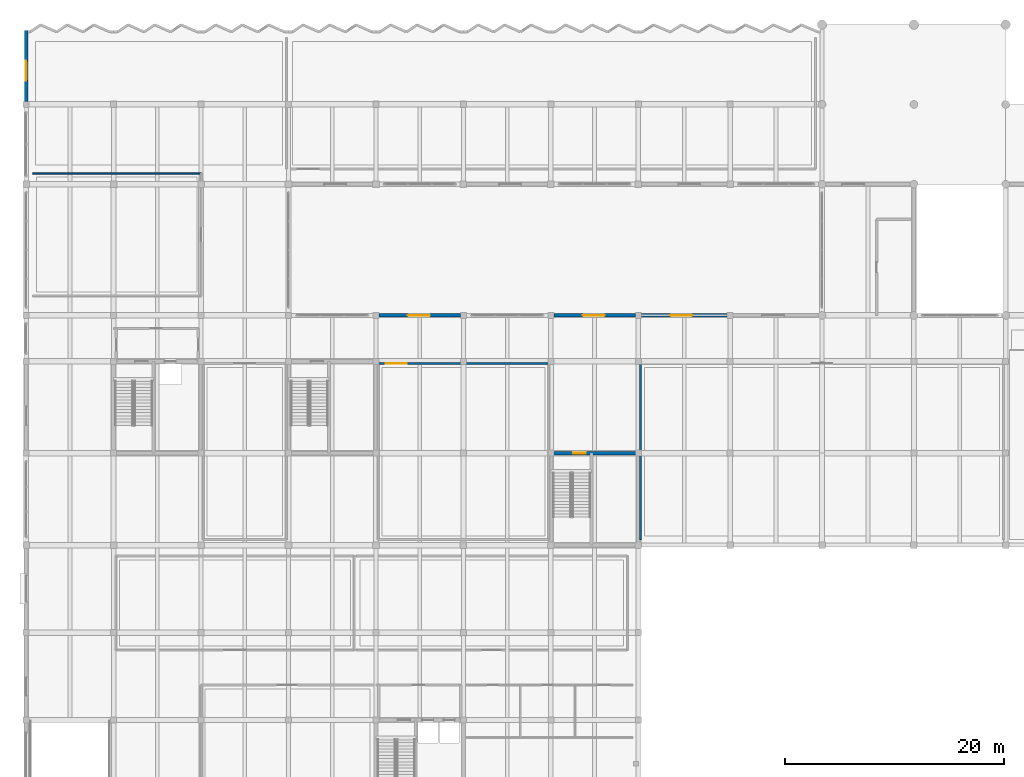
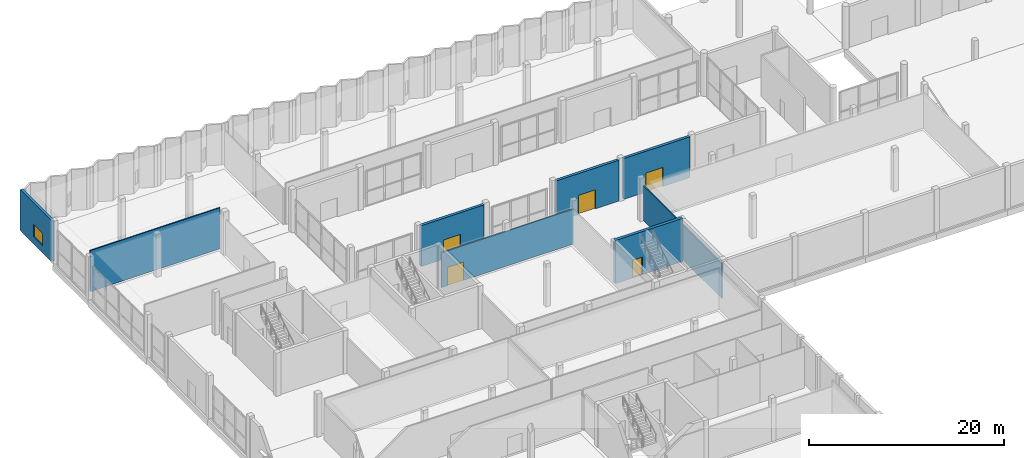
# One storey, part 26 of 41: 8 walls, 5 doors, 1 window, 6 openings.
"""IFC4 building model written with IfcOpenShell, lengths in metres."""

from ifc_helpers import new_model, si_unit, direction, frame, frame_2d, origin, place, context, subcontext, project, spatial, rectangle, extrude, material, layer, layer_set, type_object, element, fill, save


model = new_model("IFC4")

# Units and contexts
model_context = context("Model", 3, precision=1e-05, world=origin(), true_north=direction((0.0, 1.0)))
body_context = subcontext(model_context, "Body", "Model", "MODEL_VIEW")
ifc_project = project(units=[si_unit("LENGTHUNIT", "METRE"), si_unit("AREAUNIT", "SQUARE_METRE"), si_unit("VOLUMEUNIT", "CUBIC_METRE"), si_unit("PLANEANGLEUNIT", "RADIAN"), si_unit("MASSUNIT", "GRAM", prefix="KILO")], contexts=[model_context])

# Site, building, storey
site_placement = place(None, origin())
site = spatial("IfcSite", under=ifc_project, at=site_placement, CompositionType="ELEMENT")
building_placement = place(site_placement, origin())
building = spatial("IfcBuilding", under=site, at=building_placement, Name="Vharandega Faculty of Natural Sciences", CompositionType="ELEMENT")
storey_placement = place(building_placement, origin())
storey = spatial("IfcBuildingStorey", under=building, at=storey_placement, Name="L00", CompositionType="ELEMENT", Elevation=0.0)

# Wall, opening, door
ifc_material_1 = material(Name="Concrete C40/50", Category="concrete")
ifc_layer_1 = layer(ifc_material_1, 0.35009765625, Name="Concrete C40/50")
ifc_layer_set_1 = layer_set([ifc_layer_1], Name="Concrete C40/50")
wall_type_1 = type_object("IfcWallType", Name="Core Shear Wall 350", PredefinedType="SHEAR", material=ifc_layer_set_1)
wall_1_placement = place(storey_placement, frame((48.0, 72.39990234375, 0.0), z_axis=(0.0, 0.0, 1.0), x_axis=(1.0, 0.0, 0.0)))
wall_1 = element("IfcWall", 1, at=wall_1_placement, inside=storey, type_object=wall_type_1, Name="Interior Wall CW-C5-L00-N", PredefinedType="SHEAR", context=body_context, shape_type="SweptSolid", body=[
    extrude(rectangle(XDim=8.0, YDim=0.35009765625, at=frame_2d((4.0, 0.0))), origin(), (0.0, 0.0, 1.0), 5.39990234375),
])
opening_1_placement = place(wall_1_placement, frame((2.0400390625, 0.0, 0.0)))
opening_1 = element("IfcOpeningElement", 2, at=opening_1_placement, cuts=wall_1, Name="Opening FD1", PredefinedType="OPENING", context=body_context, shape_type="SweptSolid", body=[
    extrude(rectangle(XDim=1.14990234375, YDim=2.199951171875, at=frame_2d((0.574951171875, 1.10009765625))), frame((0.0, 0.18505859375, 0.0), z_axis=(0.0, -1.0, 0.0), x_axis=(1.0, 0.0, 0.0)), (0.0, 0.0, 1.0), 0.3701171875),
])
ifc_material_2 = material(Name="Solid-core hardwood timber fire door", Category="wood")
door_type_1 = type_object("IfcDoorType", Name="FD1-STAIR-1150x2200", OperationType="NOTDEFINED", PredefinedType="DOOR", material=ifc_material_2)
door_1_placement = place(opening_1_placement, origin())
door_1 = element("IfcDoor", 3, at=door_1_placement, inside=storey, type_object=door_type_1, Name="Stair ST5 Fire Door FD1", OperationType="SINGLE_SWING_LEFT", OverallHeight=2.199951171875, OverallWidth=1.14990234375, PredefinedType="DOOR", context=body_context, shape_type="SweptSolid", body=[
    extrude(rectangle(XDim=1.14990234375, YDim=2.199951171875, at=frame_2d((0.574951171875, 1.10009765625))), frame((0.0, 0.02490234375, 0.0), z_axis=(0.0, -1.0, 0.0), x_axis=(1.0, 0.0, 0.0)), (0.0, 0.0, 1.0), 0.050048828125),
])
fill(opening_1, door_1)

# Wall, opening, window
ifc_material_3 = material(Name="Granite ashlar masonry 25 MPa", Category="masonry")
ifc_layer_2 = layer(ifc_material_3, 0.320068359375, Name="Granite ashlar masonry 25 MPa")
ifc_layer_set_2 = layer_set([ifc_layer_2], Name="Granite ashlar masonry 25 MPa")
wall_type_2 = type_object("IfcWallType", Name="Harare Granite Plinth Wall 320", PredefinedType="SOLIDWALL", material=ifc_layer_set_2)
wall_2_placement = place(storey_placement, frame((0.0, 104.572998046875, 0.0), z_axis=(0.0, 0.0, 1.0), x_axis=(0.0, 1.0, 0.0)))
wall_2 = element("IfcWall", 4, at=wall_2_placement, inside=storey, type_object=wall_type_2, Name="Exterior Wall EW-V2W-L00-6", PredefinedType="SOLIDWALL", context=body_context, shape_type="SweptSolid", body=[
    extrude(rectangle(XDim=6.48193359375, YDim=0.320068359375, at=frame_2d((3.240966796875, 0.0))), origin(), (0.0, 0.0, 1.0), 5.1201171875),
])
opening_2_placement = place(wall_2_placement, frame((1.906982421875, 0.0, 0.89990234375)))
opening_2 = element("IfcOpeningElement", 5, at=opening_2_placement, cuts=wall_2, Name="Opening WN-20", PredefinedType="OPENING", context=body_context, shape_type="SweptSolid", body=[
    extrude(rectangle(XDim=1.800048828125, YDim=1.550048828125, at=frame_2d((0.89990234375, 0.77490234375))), frame((0.0, 0.169921875, 0.0), z_axis=(0.0, -1.0, 0.0), x_axis=(1.0, 0.0, 0.0)), (0.0, 0.0, 1.0), 0.340087890625),
])
ifc_material_4 = material(Name="Double-glazed solar-control glass in thermally broken aluminium frame", Category="aluminium")
window_type = type_object("IfcWindowType", Name="WIN-SEM-180x155", PartitioningType="DOUBLE_PANEL_VERTICAL", PredefinedType="WINDOW", material=ifc_material_4)
window_placement = place(opening_2_placement, origin())
window = element("IfcWindow", 6, at=window_placement, inside=storey, type_object=window_type, Name="Window WIN-L00-0158", OverallHeight=1.550048828125, OverallWidth=1.800048828125, PartitioningType="SINGLE_PANEL", PredefinedType="WINDOW", context=body_context, shape_type="SweptSolid", body=[
    extrude(rectangle(XDim=1.800048828125, YDim=1.550048828125, at=frame_2d((0.89990234375, 0.77490234375))), frame((0.0, 0.030029296875, 0.0), z_axis=(0.0, -1.0, 0.0), x_axis=(1.0, 0.0, 0.0)), (0.0, 0.0, 1.0), 0.06005859375),
])
fill(opening_2, window)

# Wall, opening, door
wall_3_placement = place(storey_placement, frame((32.27294921875, 85.0, 0.0), z_axis=(0.0, 0.0, 1.0), x_axis=(1.0, 0.0, 0.0)))
wall_3 = element("IfcWall", 7, at=wall_3_placement, inside=storey, type_object=wall_type_2, Name="Exterior Wall EW-L00-V3N-5", PredefinedType="SOLIDWALL", context=body_context, shape_type="SweptSolid", body=[
    extrude(rectangle(XDim=7.4541015625, YDim=0.320068359375, at=frame_2d((3.72705078125, 0.0))), origin(), (0.0, 0.0, 1.0), 5.1201171875),
])
opening_3_placement = place(wall_3_placement, frame((2.64697265625, 0.0, 0.0)))
opening_3 = element("IfcOpeningElement", 8, at=opening_3_placement, cuts=wall_3, Name="Opening EX-ATR5", PredefinedType="OPENING", context=body_context, shape_type="SweptSolid", body=[
    extrude(rectangle(XDim=2.0, YDim=2.39990234375, at=frame_2d((1.0, 1.199951171875))), frame((0.0, 0.169921875, 0.0), z_axis=(0.0, -1.0, 0.0), x_axis=(1.0, 0.0, 0.0)), (0.0, 0.0, 1.0), 0.340087890625),
])
ifc_material_5 = material(Name="Thermally broken glazed aluminium door", Category="aluminium")
door_type_2 = type_object("IfcDoorType", Name="EXT-ENTRY-DBL-2000x2400", OperationType="DOUBLE_DOOR_SINGLE_SWING", PredefinedType="DOOR", material=ifc_material_5)
door_2_placement = place(opening_3_placement, origin())
door_2 = element("IfcDoor", 9, at=door_2_placement, inside=storey, type_object=door_type_2, Name="Atrium Courtyard Exit 5 EX-ATR5", OperationType="DOUBLE_DOOR_SINGLE_SWING", OverallHeight=2.39990234375, OverallWidth=2.0, PredefinedType="DOOR", context=body_context, shape_type="SweptSolid", body=[
    extrude(rectangle(XDim=2.0, YDim=2.39990234375, at=frame_2d((1.0, 1.199951171875))), frame((0.0, 0.02490234375, 0.0), z_axis=(0.0, -1.0, 0.0), x_axis=(1.0, 0.0, 0.0)), (0.0, 0.0, 1.0), 0.050048828125),
])
fill(opening_3, door_2)

wall_4_placement = place(storey_placement, frame((48.27294921875, 85.0, 0.0), z_axis=(0.0, 0.0, 1.0), x_axis=(1.0, 0.0, 0.0)))
wall_4 = element("IfcWall", 10, at=wall_4_placement, inside=storey, type_object=wall_type_2, Name="Exterior Wall EW-L00-V3N-7", PredefinedType="SOLIDWALL", context=body_context, shape_type="SweptSolid", body=[
    extrude(rectangle(XDim=7.4541015625, YDim=0.320068359375, at=frame_2d((3.72705078125, 0.0))), origin(), (0.0, 0.0, 1.0), 5.1201171875),
])
opening_4_placement = place(wall_4_placement, frame((2.64697265625, 0.0, 0.0)))
opening_4 = element("IfcOpeningElement", 11, at=opening_4_placement, cuts=wall_4, Name="Opening EX-ATR7", PredefinedType="OPENING", context=body_context, shape_type="SweptSolid", body=[
    extrude(rectangle(XDim=2.0, YDim=2.39990234375, at=frame_2d((1.0, 1.199951171875))), frame((0.0, 0.169921875, 0.0), z_axis=(0.0, -1.0, 0.0), x_axis=(1.0, 0.0, 0.0)), (0.0, 0.0, 1.0), 0.340087890625),
])
door_3_placement = place(opening_4_placement, origin())
door_3 = element("IfcDoor", 12, at=door_3_placement, inside=storey, type_object=door_type_2, Name="Atrium Courtyard Exit 7 EX-ATR7", OperationType="DOUBLE_DOOR_SINGLE_SWING", OverallHeight=2.39990234375, OverallWidth=2.0, PredefinedType="DOOR", context=body_context, shape_type="SweptSolid", body=[
    extrude(rectangle(XDim=2.0, YDim=2.39990234375, at=frame_2d((1.0, 1.199951171875))), frame((0.0, 0.02490234375, 0.0), z_axis=(0.0, -1.0, 0.0), x_axis=(1.0, 0.0, 0.0)), (0.0, 0.0, 1.0), 0.050048828125),
])
fill(opening_4, door_3)

wall_5_placement = place(storey_placement, frame((56.27294921875, 85.0, 0.0), z_axis=(0.0, 0.0, 1.0), x_axis=(1.0, 0.0, 0.0)))
wall_5 = element("IfcWall", 13, at=wall_5_placement, inside=storey, type_object=wall_type_2, Name="Exterior Wall EW-L00-V3N-8", PredefinedType="SOLIDWALL", context=body_context, shape_type="SweptSolid", body=[
    extrude(rectangle(XDim=7.85400390625, YDim=0.320068359375, at=frame_2d((3.927001953125, 0.0))), origin(), (0.0, 0.0, 1.0), 5.1201171875),
])
opening_5_placement = place(wall_5_placement, frame((2.64697265625, 0.0, 0.0)))
opening_5 = element("IfcOpeningElement", 14, at=opening_5_placement, cuts=wall_5, Name="Opening ED-ATR", PredefinedType="OPENING", context=body_context, shape_type="SweptSolid", body=[
    extrude(rectangle(XDim=2.0, YDim=2.39990234375, at=frame_2d((1.0, 1.199951171875))), frame((0.0, 0.169921875, 0.0), z_axis=(0.0, -1.0, 0.0), x_axis=(1.0, 0.0, 0.0)), (0.0, 0.0, 1.0), 0.340087890625),
])
door_4_placement = place(opening_5_placement, origin())
door_4 = element("IfcDoor", 15, at=door_4_placement, inside=storey, type_object=door_type_2, Name="Atrium Courtyard Exit 8 ED-ATR", OperationType="DOUBLE_DOOR_SINGLE_SWING", OverallHeight=2.39990234375, OverallWidth=2.0, PredefinedType="DOOR", context=body_context, shape_type="SweptSolid", body=[
    extrude(rectangle(XDim=2.0, YDim=2.39990234375, at=frame_2d((1.0, 1.199951171875))), frame((0.0, 0.02490234375, 0.0), z_axis=(0.0, -1.0, 0.0), x_axis=(1.0, 0.0, 0.0)), (0.0, 0.0, 1.0), 0.050048828125),
])
fill(opening_5, door_4)

ifc_material_6 = material(Name="Gypsum fire-board on steel stud", Category="steel")
ifc_layer_3 = layer(ifc_material_6, 0.159912109375, Name="Gypsum fire-board on steel stud")
ifc_layer_set_3 = layer_set([ifc_layer_3], Name="Gypsum fire-board on steel stud")
wall_type_3 = type_object("IfcWallType", Name="Laboratory Fire Corridor Wall 160", PredefinedType="PARTITIONING", material=ifc_layer_set_3)
wall_6_placement = place(storey_placement, frame((32.199951171875, 80.60009765625, 0.0), z_axis=(0.0, 0.0, 1.0), x_axis=(1.0, 0.0, 0.0)))
wall_6 = element("IfcWall", 16, at=wall_6_placement, inside=storey, type_object=wall_type_3, Name="Interior Wall PW-L00-R15N", PredefinedType="PARTITIONING", context=body_context, shape_type="SweptSolid", body=[
    extrude(rectangle(XDim=15.60009765625, YDim=0.159912109375, at=frame_2d((7.800048828125, 0.0))), origin(), (0.0, 0.0, 1.0), 4.3701171875),
])
opening_6_placement = place(wall_6_placement, frame((0.699951171875, 0.0, 0.0)))
opening_6 = element("IfcOpeningElement", 17, at=opening_6_placement, cuts=wall_6, Name="Opening D0242", PredefinedType="OPENING", context=body_context, shape_type="SweptSolid", body=[
    extrude(rectangle(XDim=1.89990234375, YDim=2.300048828125, at=frame_2d((0.949951171875, 1.14990234375))), frame((0.0, 0.08984375, 0.0), z_axis=(0.0, -1.0, 0.0), x_axis=(1.0, 0.0, 0.0)), (0.0, 0.0, 1.0), 0.179931640625),
])
ifc_material_7 = material(Name="Solid-core hardwood timber fire door", Category="wood")
door_type_3 = type_object("IfcDoorType", Name="ID08-COMMONS-DBL-1900x2300", OperationType="DOUBLE_DOOR_SINGLE_SWING", PredefinedType="DOOR", material=ifc_material_7)
door_5_placement = place(opening_6_placement, origin())
door_5 = element("IfcDoor", 18, at=door_5_placement, inside=storey, type_object=door_type_3, Name="Central Atrium Exhibition Concourse Door D0242", OperationType="DOUBLE_DOOR_SINGLE_SWING", OverallHeight=2.300048828125, OverallWidth=1.89990234375, PredefinedType="DOOR", context=body_context, shape_type="SweptSolid", body=[
    extrude(rectangle(XDim=1.89990234375, YDim=2.300048828125, at=frame_2d((0.949951171875, 1.14990234375))), frame((0.0, 0.02490234375, 0.0), z_axis=(0.0, -1.0, 0.0), x_axis=(1.0, 0.0, 0.0)), (0.0, 0.0, 1.0), 0.050048828125),
])
fill(opening_6, door_5)

# Walls
wall_7_placement = place(storey_placement, frame((56.199951171875, 64.5, 0.0), z_axis=(0.0, 0.0, 1.0), x_axis=(0.0, 1.0, 0.0)))
element("IfcWall", 19, at=wall_7_placement, inside=storey, type_object=wall_type_3, Name="Interior Wall PW-L00-R16W", PredefinedType="PARTITIONING", context=body_context, shape_type="SweptSolid", body=[
    extrude(rectangle(XDim=16.10009765625, YDim=0.159912109375, at=frame_2d((8.050048828125, 0.0))), origin(), (0.0, 0.0, 1.0), 4.3701171875),
])
ifc_material_8 = material(Name="Gypsum acoustic partition", Category="gypsum")
ifc_layer_4 = layer(ifc_material_8, 0.139892578125, Name="Gypsum acoustic partition")
ifc_layer_set_4 = layer_set([ifc_layer_4], Name="Gypsum acoustic partition")
wall_type_4 = type_object("IfcWallType", Name="Room Partition Wall 140", PredefinedType="PARTITIONING", material=ifc_layer_set_4)
wall_8_placement = place(storey_placement, frame((0.60009765625, 98.0, 0.0), z_axis=(0.0, 0.0, 1.0), x_axis=(1.0, 0.0, 0.0)))
element("IfcWall", 20, at=wall_8_placement, inside=storey, type_object=wall_type_4, Name="Interior Wall PW-L00-R10N", PredefinedType="PARTITIONING", context=body_context, shape_type="SweptSolid", body=[
    extrude(rectangle(XDim=15.39990234375, YDim=0.139892578125, at=frame_2d((7.699951171875, 0.0))), origin(), (0.0, 0.0, 1.0), 5.139892578125),
])

save(model, "model.ifc")
